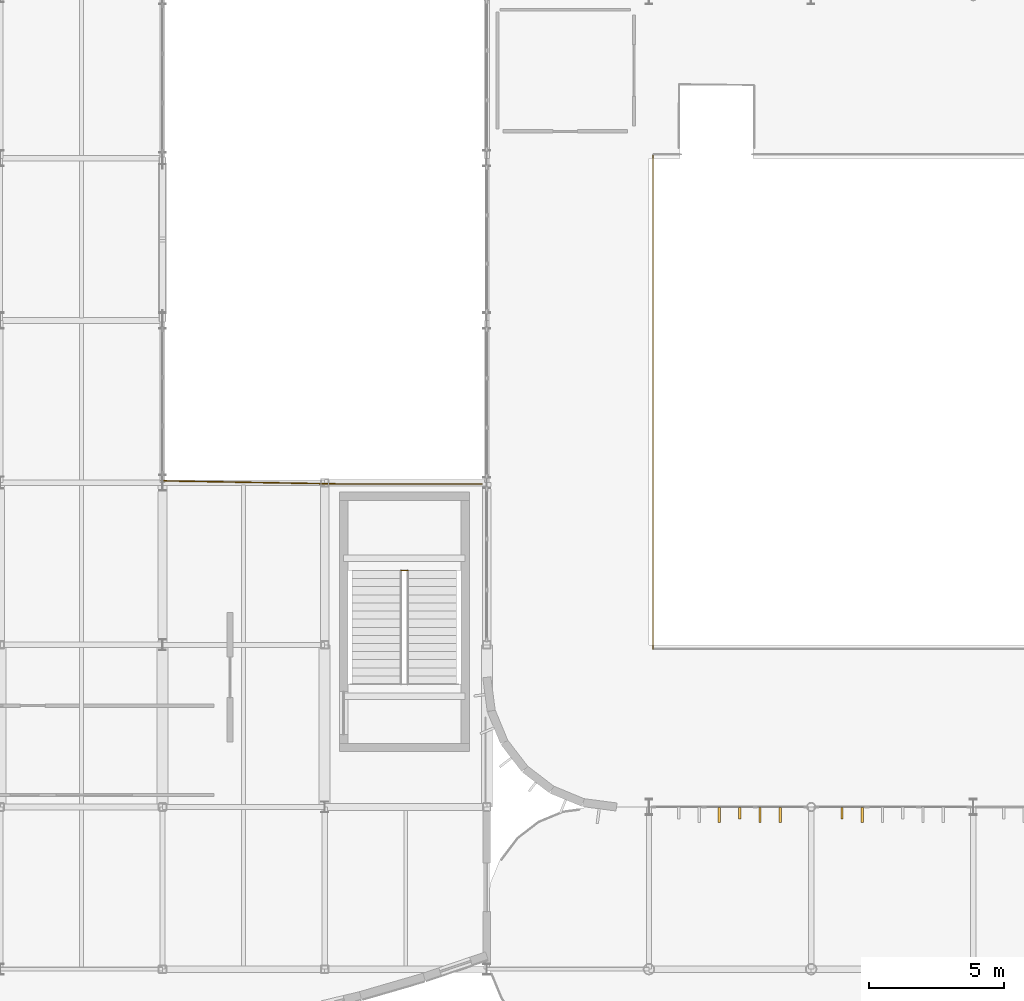
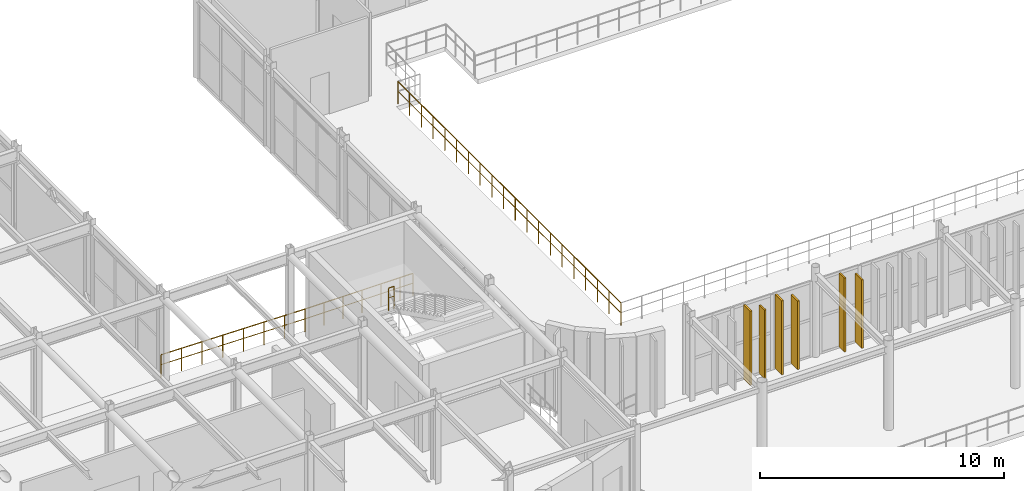
# One storey, part 81 of 96: 6 coverings, 5 railings.
"""IFC4 building model written with IfcOpenShell, lengths in metres."""

from ifc_helpers import new_model, si_unit, direction, frame, origin, origin_2d, place, context, subcontext, project, spatial, rectangle, circle, extrude, material, layer, layer_set, type_object, element, save


model = new_model("IFC4")

# Units and contexts
model_context = context("Model", 3, precision=1e-05, world=origin(), true_north=direction((0.0, 1.0)))
body_context = subcontext(model_context, "Body", "Model", "MODEL_VIEW")
ifc_project = project(units=[si_unit("LENGTHUNIT", "METRE"), si_unit("AREAUNIT", "SQUARE_METRE"), si_unit("VOLUMEUNIT", "CUBIC_METRE"), si_unit("PLANEANGLEUNIT", "RADIAN"), si_unit("MASSUNIT", "GRAM", prefix="KILO")], contexts=[model_context])

# Site, building, storey
site_placement = place(None, origin())
site = spatial("IfcSite", under=ifc_project, at=site_placement, CompositionType="ELEMENT")
building_placement = place(site_placement, origin())
building = spatial("IfcBuilding", under=site, at=building_placement, Name="Varnakota Square Police Headquarters", CompositionType="ELEMENT")
storey_placement = place(building_placement, frame((0.0, 0.0, 4.800048828125)))
storey = spatial("IfcBuildingStorey", under=building, at=storey_placement, Name="L01", CompositionType="ELEMENT", Elevation=4.800048828125)

# Coverings
ifc_material_1 = material(Name="White Anodised Aluminium Vertical Facade Blade 420", Category="aluminium")
ifc_layer_1 = layer(ifc_material_1, 0.0849609375, Name="White Anodised Aluminium Vertical Facade Blade 420")
ifc_layer_set_1 = layer_set([ifc_layer_1], Name="White Anodised Aluminium Vertical Facade Blade 420")
covering_type_1 = type_object("IfcCoveringType", Name="COV-FIN-420", PredefinedType="CLADDING", material=ifc_layer_set_1)
covering_1_placement = place(storey_placement, frame((63.3564453125, 8.762451171875, 0.0400390625), z_axis=(0.0, 0.0, 1.0), x_axis=(1.0, 0.0, 0.0)))
element("IfcCovering", 1, at=covering_1_placement, inside=storey, type_object=covering_type_1, Name="Vertical aluminium facade fin FIN-0058", PredefinedType="CLADDING", context=body_context, shape_type="SweptSolid", body=[
    extrude(rectangle(XDim=0.0849609375, YDim=0.419921875, at=origin_2d()), origin(), (0.0, 0.0, 1.0), 3.429931640625),
])
covering_2_placement = place(storey_placement, frame((67.1435546875, 8.762451171875, 0.0400390625), z_axis=(0.0, 0.0, 1.0), x_axis=(1.0, 0.0, 0.0)))
element("IfcCovering", 2, at=covering_2_placement, inside=storey, type_object=covering_type_1, Name="Vertical aluminium facade fin FIN-0061", PredefinedType="CLADDING", context=body_context, shape_type="SweptSolid", body=[
    extrude(rectangle(XDim=0.0849609375, YDim=0.419921875, at=origin_2d()), origin(), (0.0, 0.0, 1.0), 3.7099609375),
])
ifc_material_2 = material(Name="White Anodised Aluminium Vertical Facade Blade 550", Category="aluminium")
ifc_layer_2 = layer(ifc_material_2, 0.0849609375, Name="White Anodised Aluminium Vertical Facade Blade 550")
ifc_layer_set_2 = layer_set([ifc_layer_2], Name="White Anodised Aluminium Vertical Facade Blade 550")
covering_type_2 = type_object("IfcCoveringType", Name="COV-FIN-550", PredefinedType="CLADDING", material=ifc_layer_set_2)
for number, where, z_axis, x_axis, name in (
    (3, (62.6064453125, 8.697509765625, 0.0400390625), (0.0, 0.0, 1.0), (1.0, 0.0, 0.0), "Vertical aluminium facade fin FIN-0057"),
    (4, (64.1064453125, 8.697509765625, 0.0400390625), (0.0, 0.0, 1.0), (1.0, 0.0, 0.0), "Vertical aluminium facade fin FIN-0059"),
):
    element("IfcCovering", number, at=place(storey_placement, frame(where, z_axis=z_axis, x_axis=x_axis)), inside=storey, type_object=covering_type_2, Name=name, PredefinedType="CLADDING", context=body_context, shape_type="SweptSolid", body=[
        extrude(rectangle(XDim=0.0849609375, YDim=0.550048828125, at=origin_2d()), origin(), (0.0, 0.0, 1.0), 3.7099609375),
    ])
for number, where, z_axis, x_axis, name in (
    (5, (64.8564453125, 8.697509765625, 0.0400390625), (0.0, 0.0, 1.0), (1.0, 0.0, 0.0), "Vertical aluminium facade fin FIN-0060"),
    (6, (67.8935546875, 8.697509765625, 0.0400390625), (0.0, 0.0, 1.0), (1.0, 0.0, 0.0), "Vertical aluminium facade fin FIN-0062"),
):
    element("IfcCovering", number, at=place(storey_placement, frame(where, z_axis=z_axis, x_axis=x_axis)), inside=storey, type_object=covering_type_2, Name=name, PredefinedType="CLADDING", context=body_context, shape_type="SweptSolid", body=[
        extrude(rectangle(XDim=0.0849609375, YDim=0.550048828125, at=origin_2d()), origin(), (0.0, 0.0, 1.0), 3.429931640625),
    ])

# Railings
ifc_material_3 = material(Name="Galvanised Powder-Coated Steel Guardrail", Category="steel")
railing_type_1 = type_object("IfcRailingType", Name="RL-BAL-1150", PredefinedType="BALUSTRADE", material=ifc_material_3)
railing_1_placement = place(storey_placement, frame((41.949951171875, 21.0703125, 0.0)))
element("IfcRailing", 7, at=railing_1_placement, inside=storey, type_object=railing_type_1, Name="Perimeter edge safety guard GD-AUTO-L01-037", PredefinedType="BALUSTRADE", context=body_context, shape_type="SweptSolid", body=[
    extrude(circle(Radius=0.02392578125, at=origin_2d()), frame((0.0, 0.0, 1.1259765625), z_axis=(0.999841060131, -0.017828473765, 0.0), x_axis=(0.017828473765, 0.999841060131, 0.0)), (0.0, 0.0, 1.0), 6.7509765625),
    extrude(circle(Radius=0.01806640625, at=origin_2d()), frame((0.0, 0.0, 0.63232421875), z_axis=(0.999841060131, -0.017828473765, 0.0), x_axis=(0.017828473765, 0.999841060131, 0.0)), (0.0, 0.0, 1.0), 6.7509765625),
    extrude(circle(Radius=0.02099609375, at=origin_2d()), origin(), (0.0, 0.0, 1.0), 1.101806640625),
    extrude(circle(Radius=0.02099609375, at=origin_2d()), frame((0.96435546875, -0.01708984375, 0.0)), (0.0, 0.0, 1.0), 1.101806640625),
    extrude(circle(Radius=0.02099609375, at=origin_2d()), frame((1.928466796875, -0.034423828125, 0.0)), (0.0, 0.0, 1.0), 1.101806640625),
    extrude(circle(Radius=0.02099609375, at=origin_2d()), frame((2.892822265625, -0.051513671875, 0.0)), (0.0, 0.0, 1.0), 1.101806640625),
    extrude(circle(Radius=0.02099609375, at=origin_2d()), frame((3.857177734375, -0.06884765625, 0.0)), (0.0, 0.0, 1.0), 1.101806640625),
    extrude(circle(Radius=0.02099609375, at=origin_2d()), frame((4.821533203125, -0.0859375, 0.0)), (0.0, 0.0, 1.0), 1.101806640625),
    extrude(circle(Radius=0.02099609375, at=origin_2d()), frame((5.78564453125, -0.103271484375, 0.0)), (0.0, 0.0, 1.0), 1.101806640625),
    extrude(circle(Radius=0.02099609375, at=origin_2d()), frame((6.75, -0.120361328125, 0.0)), (0.0, 0.0, 1.0), 1.101806640625),
])
railing_2_placement = place(storey_placement, frame((48.699951171875, 20.949951171875, 0.0)))
element("IfcRailing", 8, at=railing_2_placement, inside=storey, type_object=railing_type_1, Name="Perimeter edge safety guard GD-AUTO-L01-038", PredefinedType="BALUSTRADE", context=body_context, shape_type="SweptSolid", body=[
    extrude(circle(Radius=0.02392578125, at=origin_2d()), frame((0.0, 0.0, 1.1259765625), z_axis=(1.0, 0.0, 0.0), x_axis=(0.0, 1.0, 0.0)), (0.0, 0.0, 1.0), 4.5),
    extrude(circle(Radius=0.01806640625, at=origin_2d()), frame((0.0, 0.0, 0.63232421875), z_axis=(1.0, 0.0, 0.0), x_axis=(0.0, 1.0, 0.0)), (0.0, 0.0, 1.0), 4.5),
    extrude(circle(Radius=0.02099609375, at=origin_2d()), origin(), (0.0, 0.0, 1.0), 1.101806640625),
    extrude(circle(Radius=0.02099609375, at=origin_2d()), frame((0.89990234375, 0.0, 0.0)), (0.0, 0.0, 1.0), 1.101806640625),
    extrude(circle(Radius=0.02099609375, at=origin_2d()), frame((1.800048828125, 0.0, 0.0)), (0.0, 0.0, 1.0), 1.101806640625),
    extrude(circle(Radius=0.02099609375, at=origin_2d()), frame((2.699951171875, 0.0, 0.0)), (0.0, 0.0, 1.0), 1.101806640625),
    extrude(circle(Radius=0.02099609375, at=origin_2d()), frame((3.60009765625, 0.0, 0.0)), (0.0, 0.0, 1.0), 1.101806640625),
    extrude(circle(Radius=0.02099609375, at=origin_2d()), frame((4.5, 0.0, 0.0)), (0.0, 0.0, 1.0), 1.101806640625),
])
railing_3_placement = place(storey_placement, frame((53.199951171875, 20.949951171875, 0.0)))
element("IfcRailing", 9, at=railing_3_placement, inside=storey, type_object=railing_type_1, Name="Perimeter edge safety guard GD-AUTO-L01-039", PredefinedType="BALUSTRADE", context=body_context, shape_type="SweptSolid", body=[
    extrude(circle(Radius=0.02392578125, at=origin_2d()), frame((0.0, 0.0, 1.1259765625), z_axis=(1.0, 0.0, 0.0), x_axis=(0.0, 1.0, 0.0)), (0.0, 0.0, 1.0), 0.616943359375),
    extrude(circle(Radius=0.01806640625, at=origin_2d()), frame((0.0, 0.0, 0.63232421875), z_axis=(1.0, 0.0, 0.0), x_axis=(0.0, 1.0, 0.0)), (0.0, 0.0, 1.0), 0.616943359375),
    extrude(circle(Radius=0.02099609375, at=origin_2d()), origin(), (0.0, 0.0, 1.0), 1.101806640625),
    extrude(circle(Radius=0.02099609375, at=origin_2d()), frame((0.616943359375, 0.0, 0.0)), (0.0, 0.0, 1.0), 1.101806640625),
])
ifc_material_4 = material(Name="Laminated Glass and Stainless Steel Balustrade", Category="steel")
railing_type_2 = type_object("IfcRailingType", Name="RL-INT-1150", PredefinedType="BALUSTRADE", material=ifc_material_4)
railing_4_placement = place(storey_placement, frame((50.820068359375, 17.750732421875, 2.25)))
element("IfcRailing", 10, at=railing_4_placement, inside=storey, type_object=railing_type_2, Name="Half-landing well guard C10 L01", PredefinedType="BALUSTRADE", context=body_context, shape_type="SweptSolid", body=[
    extrude(circle(Radius=0.02392578125, at=origin_2d()), frame((0.0, 0.0, 1.1259765625), z_axis=(1.0, 0.0, 0.0), x_axis=(0.0, 1.0, 0.0)), (0.0, 0.0, 1.0), 0.260009765625),
    extrude(circle(Radius=0.01806640625, at=origin_2d()), frame((0.0, 0.0, 0.63232421875), z_axis=(1.0, 0.0, 0.0), x_axis=(0.0, 1.0, 0.0)), (0.0, 0.0, 1.0), 0.260009765625),
    extrude(circle(Radius=0.02099609375, at=origin_2d()), origin(), (0.0, 0.0, 1.0), 1.101806640625),
    extrude(circle(Radius=0.02099609375, at=origin_2d()), frame((0.260009765625, 0.0, 0.0)), (0.0, 0.0, 1.0), 1.101806640625),
])
railing_5_placement = place(storey_placement, frame((60.14990234375, 33.14990234375, 0.0)))
element("IfcRailing", 11, at=railing_5_placement, inside=storey, type_object=railing_type_2, Name="Entrance hall gallery balustrade", PredefinedType="BALUSTRADE", context=body_context, shape_type="SweptSolid", body=[
    extrude(circle(Radius=0.02392578125, at=origin_2d()), frame((0.0, 0.0, 1.1259765625), z_axis=(0.0, -1.0, 0.0), x_axis=(1.0, 0.0, 0.0)), (0.0, 0.0, 1.0), 18.2998046875),
    extrude(circle(Radius=0.01806640625, at=origin_2d()), frame((0.0, 0.0, 0.63232421875), z_axis=(0.0, -1.0, 0.0), x_axis=(1.0, 0.0, 0.0)), (0.0, 0.0, 1.0), 18.2998046875),
    extrude(circle(Radius=0.02099609375, at=origin_2d()), origin(), (0.0, 0.0, 1.0), 1.101806640625),
    extrude(circle(Radius=0.02099609375, at=origin_2d()), frame((0.0, -0.963134765625, 0.0)), (0.0, 0.0, 1.0), 1.101806640625),
    extrude(circle(Radius=0.02099609375, at=origin_2d()), frame((0.0, -1.92626953125, 0.0)), (0.0, 0.0, 1.0), 1.101806640625),
    extrude(circle(Radius=0.02099609375, at=origin_2d()), frame((0.0, -2.889404296875, 0.0)), (0.0, 0.0, 1.0), 1.101806640625),
    extrude(circle(Radius=0.02099609375, at=origin_2d()), frame((0.0, -3.8525390625, 0.0)), (0.0, 0.0, 1.0), 1.101806640625),
    extrude(circle(Radius=0.02099609375, at=origin_2d()), frame((0.0, -4.815673828125, 0.0)), (0.0, 0.0, 1.0), 1.101806640625),
    extrude(circle(Radius=0.02099609375, at=origin_2d()), frame((0.0, -5.77880859375, 0.0)), (0.0, 0.0, 1.0), 1.101806640625),
    extrude(circle(Radius=0.02099609375, at=origin_2d()), frame((0.0, -6.741943359375, 0.0)), (0.0, 0.0, 1.0), 1.101806640625),
    extrude(circle(Radius=0.02099609375, at=origin_2d()), frame((0.0, -7.705078125, 0.0)), (0.0, 0.0, 1.0), 1.101806640625),
    extrude(circle(Radius=0.02099609375, at=origin_2d()), frame((0.0, -8.668212890625, 0.0)), (0.0, 0.0, 1.0), 1.101806640625),
    extrude(circle(Radius=0.02099609375, at=origin_2d()), frame((0.0, -9.631591796875, 0.0)), (0.0, 0.0, 1.0), 1.101806640625),
    extrude(circle(Radius=0.02099609375, at=origin_2d()), frame((0.0, -10.5947265625, 0.0)), (0.0, 0.0, 1.0), 1.101806640625),
    extrude(circle(Radius=0.02099609375, at=origin_2d()), frame((0.0, -11.557861328125, 0.0)), (0.0, 0.0, 1.0), 1.101806640625),
    extrude(circle(Radius=0.02099609375, at=origin_2d()), frame((0.0, -12.52099609375, 0.0)), (0.0, 0.0, 1.0), 1.101806640625),
    extrude(circle(Radius=0.02099609375, at=origin_2d()), frame((0.0, -13.484130859375, 0.0)), (0.0, 0.0, 1.0), 1.101806640625),
    extrude(circle(Radius=0.02099609375, at=origin_2d()), frame((0.0, -14.447265625, 0.0)), (0.0, 0.0, 1.0), 1.101806640625),
    extrude(circle(Radius=0.02099609375, at=origin_2d()), frame((0.0, -15.410400390625, 0.0)), (0.0, 0.0, 1.0), 1.101806640625),
    extrude(circle(Radius=0.02099609375, at=origin_2d()), frame((0.0, -16.37353515625, 0.0)), (0.0, 0.0, 1.0), 1.101806640625),
    extrude(circle(Radius=0.02099609375, at=origin_2d()), frame((0.0, -17.336669921875, 0.0)), (0.0, 0.0, 1.0), 1.101806640625),
    extrude(circle(Radius=0.02099609375, at=origin_2d()), frame((0.0, -18.2998046875, 0.0)), (0.0, 0.0, 1.0), 1.101806640625),
])

save(model, "model.ifc")
